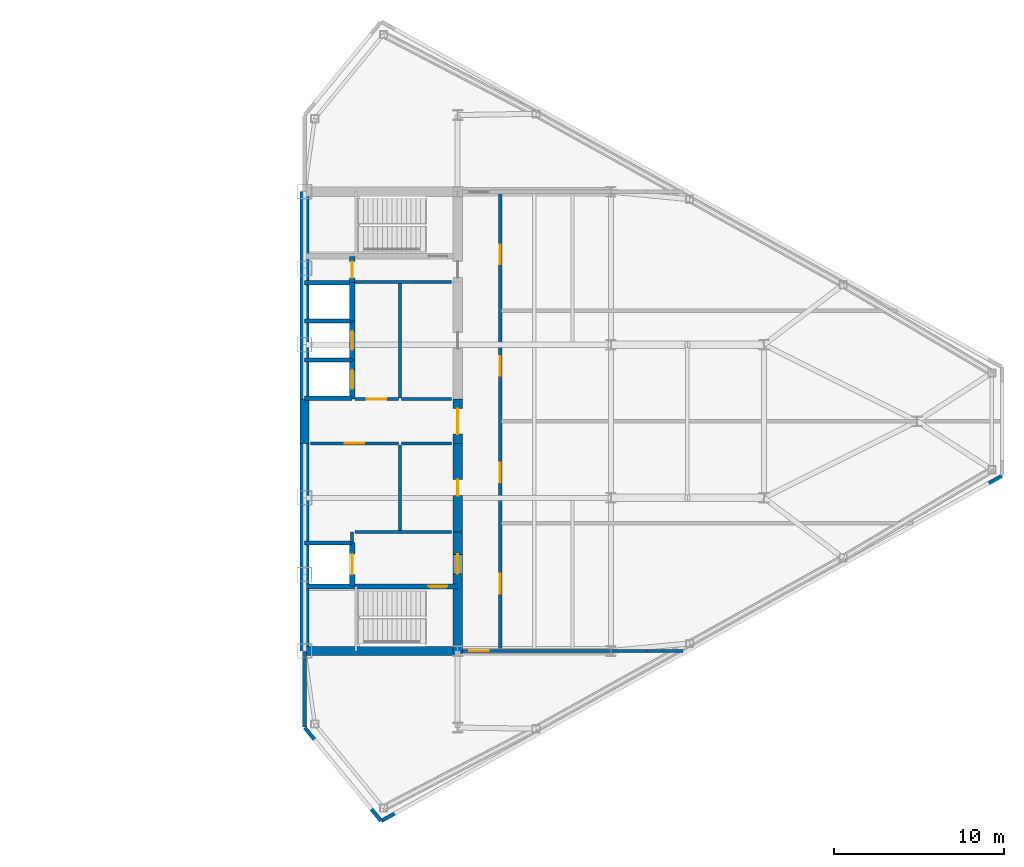
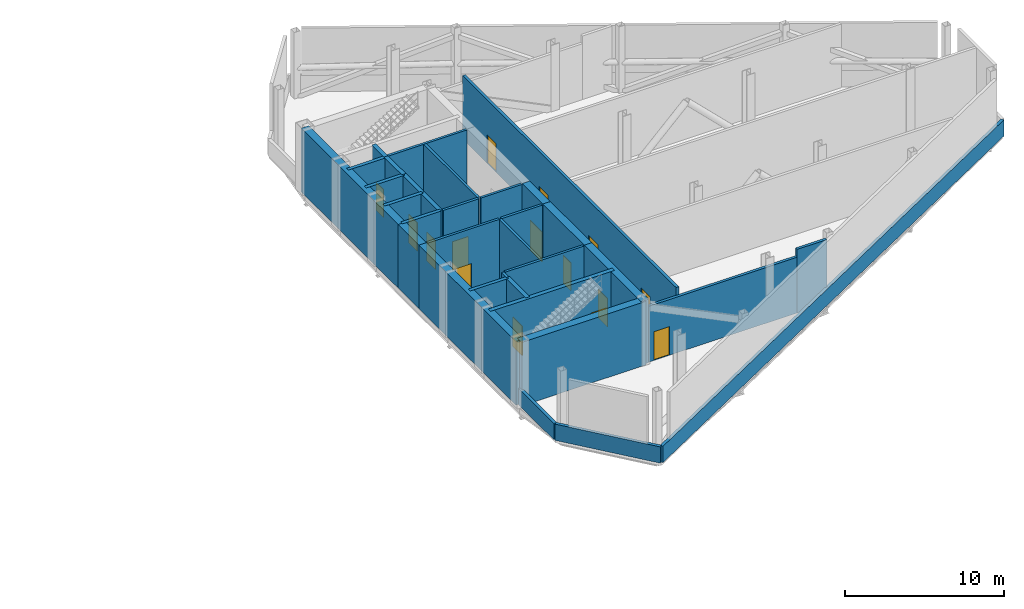
# One storey, part 8 of 11: 33 walls, 15 doors, 15 openings.
"""IFC4 building model written with IfcOpenShell, lengths in metres."""

import ifcopenshell
import ifcopenshell.guid

model = None  # the IFC model being written
_history = None  # IfcOwnerHistory: only IFC2X3 demands one
_inside = {}  # id of a spatial element -> (the spatial element, [elements in it])
_under = {}  # id of a project, library or spatial element -> (it, [spatial elements below it])
_declared = {}  # id of a project -> (the project, [libraries it declares])
_typed = {}  # id of a type object -> (the type object, [elements of that type])
_made_of = {}  # id of a material, layer set ... -> (it, [elements and type objects made of it])


def new_model(schema):
    """Start an empty IFC model of exactly this schema.

    Asked for "IFC4X3", IfcOpenShell would pick the latest addendum, in which some entities
    have other attributes; the version numbers below select the first issue.
    IFC2X3 requires an IfcOwnerHistory on every rooted entity: one is made here for all.
    """
    global model, _history
    if schema == "IFC4X3":
        model = ifcopenshell.file(schema_version=(4, 3, 0, 0))
    else:
        model = ifcopenshell.file(schema=schema)
    _inside.clear()
    _under.clear()
    _declared.clear()
    _typed.clear()
    _made_of.clear()
    _history = None
    if model.schema == "IFC2X3":
        org = make("IfcOrganization", Name="unknown")
        user = make(
            "IfcPersonAndOrganization",
            ThePerson=make("IfcPerson", FamilyName="unknown"),
            TheOrganization=org,
        )
        app = make(
            "IfcApplication",
            ApplicationDeveloper=org,
            Version="unknown",
            ApplicationFullName="unknown",
            ApplicationIdentifier="unknown",
        )
        _history = make(
            "IfcOwnerHistory",
            OwningUser=user,
            OwningApplication=app,
            ChangeAction="ADDED",
            CreationDate=0,
        )
    return model


def make(cls, **values):
    """One entity of the class cls with the attributes given. An attribute that is None is left unset."""
    return model.create_entity(
        cls, **{name: value for name, value in values.items() if value is not None}
    )


def rooted(cls, **values):
    """An entity with a GlobalId (a new one), such as an element, a storey or a relation."""
    return make(cls, GlobalId=ifcopenshell.guid.new(), OwnerHistory=_history, **values)


def si_unit(unit_type, name, prefix=None):
    """IfcSIUnit, for example si_unit("LENGTHUNIT", "METRE", prefix="MILLI")."""
    return make("IfcSIUnit", UnitType=unit_type, Prefix=prefix, Name=name)


def assignment(units):
    """IfcUnitAssignment: the units of a project."""
    return None if units is None else make("IfcUnitAssignment", Units=units)


def point(xyz):
    """IfcCartesianPoint."""
    return None if xyz is None else make("IfcCartesianPoint", Coordinates=xyz)


def direction(xyz):
    """IfcDirection."""
    return None if xyz is None else make("IfcDirection", DirectionRatios=xyz)


def frame(location, z_axis=None, x_axis=None):
    """IfcAxis2Placement3D, a coordinate frame: its origin and axes. An axis left out is left unset."""
    return make(
        "IfcAxis2Placement3D",
        Location=point(location),
        Axis=direction(z_axis),
        RefDirection=direction(x_axis),
    )


def frame_2d(location, x_axis=None):
    """IfcAxis2Placement2D, a coordinate frame in the plane: its origin and x axis."""
    return make(
        "IfcAxis2Placement2D", Location=point(location), RefDirection=direction(x_axis)
    )


def origin():
    """The frame at (0, 0, 0) with its axes left unset."""
    return frame((0.0, 0.0, 0.0))


def place(relative_to, where):
    """IfcLocalPlacement: puts the frame where relative to a parent placement (None: the world)."""
    return make(
        "IfcLocalPlacement", PlacementRelTo=relative_to, RelativePlacement=where
    )


def context(
    kind, dimensions, precision=None, world=None, true_north=None, identifier=None
):
    """IfcGeometricRepresentationContext, for example the 3D "Model" context."""
    return make(
        "IfcGeometricRepresentationContext",
        ContextIdentifier=identifier,
        ContextType=kind,
        CoordinateSpaceDimension=dimensions,
        Precision=precision,
        WorldCoordinateSystem=world,
        TrueNorth=true_north,
    )


def subcontext(parent, identifier, kind, view, scale=None):
    """IfcGeometricRepresentationSubContext, for example "Body" below "Model"."""
    return make(
        "IfcGeometricRepresentationSubContext",
        ContextIdentifier=identifier,
        ContextType=kind,
        ParentContext=parent,
        TargetScale=scale,
        TargetView=view,
    )


def project(units=None, contexts=None):
    """IfcProject with its units and contexts."""
    return rooted(
        "IfcProject",
        Name="project",
        RepresentationContexts=contexts,
        UnitsInContext=assignment(units),
    )


def spatial(cls, under=None, at=None, **own):
    """A site, building, storey or space (cls), placed at a placement, below another one or the project."""
    s = rooted(cls, ObjectPlacement=at, **own)
    if under is not None:
        _under.setdefault(under.id(), (under, []))[1].append(s)
    return s


def profile(cls, at=None, kind="AREA", **sizes):
    """A parametric profile (cls). Its sizes go by their IFC names, for example OverallWidth=200.0."""
    return make(cls, ProfileType=kind, Position=at, **sizes)


def rectangle(**sizes):
    """IfcRectangleProfileDef."""
    return profile("IfcRectangleProfileDef", **sizes)


def extrude(swept, where, along, depth):
    """IfcExtrudedAreaSolid: the profile swept, set in the frame where, extruded along a direction by depth."""
    return make(
        "IfcExtrudedAreaSolid",
        SweptArea=swept,
        Position=where,
        ExtrudedDirection=direction(along),
        Depth=depth,
    )


def shape(context_of_items, identifier, shape_type, items):
    """IfcShapeRepresentation: the items that make up one representation, for example the "Body"."""
    return make(
        "IfcShapeRepresentation",
        ContextOfItems=context_of_items,
        RepresentationIdentifier=identifier,
        RepresentationType=shape_type,
        Items=items,
    )


def source(mapping_origin, context_of_items, identifier, shape_type, items):
    """IfcRepresentationMap: a shape defined once, which mapped items show again and again."""
    return make(
        "IfcRepresentationMap",
        MappingOrigin=mapping_origin,
        MappedRepresentation=shape(context_of_items, identifier, shape_type, items),
    )


def transform(
    local_origin,
    x_axis=None,
    y_axis=None,
    z_axis=None,
    scale=None,
    scale2=None,
    scale3=None,
    uniform=True,
):
    """IfcCartesianTransformationOperator3D, or its non-uniform kind. x_axis, y_axis, z_axis: its Axis1, 2, 3."""
    if uniform:
        return make(
            "IfcCartesianTransformationOperator3D",
            Axis1=direction(x_axis),
            Axis2=direction(y_axis),
            LocalOrigin=point(local_origin),
            Scale=scale,
            Axis3=direction(z_axis),
        )
    return make(
        "IfcCartesianTransformationOperator3DnonUniform",
        Axis1=direction(x_axis),
        Axis2=direction(y_axis),
        LocalOrigin=point(local_origin),
        Scale=scale,
        Axis3=direction(z_axis),
        Scale2=scale2,
        Scale3=scale3,
    )


def mapped(mapping_source, mapping_target):
    """IfcMappedItem: shows the shape of a source again, moved by a transform."""
    return make(
        "IfcMappedItem", MappingSource=mapping_source, MappingTarget=mapping_target
    )


def material(Name=None, Category=None):
    """IfcMaterial."""
    return make("IfcMaterial", Name=Name, Category=Category)


def layer(
    of_material, thickness, ventilated=None, Name=None, Category=None, Priority=None
):
    """IfcMaterialLayer: one layer of a wall or slab, of a material (None: an air gap)."""
    return make(
        "IfcMaterialLayer",
        Material=of_material,
        LayerThickness=thickness,
        IsVentilated=ventilated,
        Name=Name,
        Category=Category,
        Priority=Priority,
    )


def layer_set(layers, Name=None):
    """IfcMaterialLayerSet."""
    return make("IfcMaterialLayerSet", MaterialLayers=layers, LayerSetName=Name)


def made_of(thing, what):
    """Note that an element or type object is made of a material, layer set ...; save() writes the relation."""
    if what is not None:
        _made_of.setdefault(what.id(), (what, []))[1].append(thing)
    return thing


def type_object(cls, material=None, **own):
    """A type object (cls), such as IfcWallType, which elements share."""
    return made_of(rooted(cls, **own), material)


def type_shapes(of_type, sources):
    """Give a type object the sources (RepresentationMaps) that its elements show as mapped items."""
    of_type.RepresentationMaps = sources


def element(
    cls,
    number,
    at=None,
    inside=None,
    cuts=None,
    type_object=None,
    material=None,
    context=None,
    identifier="Body",
    shape_type=None,
    held_by="IfcProductDefinitionShape",
    body=None,
    shapes=None,
    **own,
):
    """One element of the class cls, such as IfcWall. Its Tag is "e" and its number.

    at: its placement. inside: the storey or other place that contains it. cuts: it is an
    opening in that element (IfcRelVoidsElement). A single representation is given by context,
    identifier, shape_type and body (its items); several are given by shapes. held_by: the class
    of the entity that holds the representations. save() writes the other relations.
    """
    e = rooted(cls, Tag="e%d" % number, ObjectPlacement=at, **own)
    if body is not None:
        shapes = [shape(context, identifier, shape_type, body)]
    if shapes is not None:
        e.Representation = make(held_by, Representations=shapes)
    if inside is not None:
        _inside.setdefault(inside.id(), (inside, []))[1].append(e)
    if cuts is not None:
        rooted(
            "IfcRelVoidsElement", RelatingBuildingElement=cuts, RelatedOpeningElement=e
        )
    if type_object is not None:
        _typed.setdefault(type_object.id(), (type_object, []))[1].append(e)
    return made_of(e, material)


def fill(opening, filler):
    """IfcRelFillsElement: the door or window that sits in an opening."""
    return rooted(
        "IfcRelFillsElement",
        RelatingOpeningElement=opening,
        RelatedBuildingElement=filler,
    )


def aggregate(whole, parts):
    """IfcRelAggregates: a whole, such as a stair, and the parts it consists of."""
    return rooted("IfcRelAggregates", RelatingObject=whole, RelatedObjects=parts)


def save(model, path):
    """Write the relations noted so far, then the file.

    IfcRelAggregates (storeys below a building ...), IfcRelContainedInSpatialStructure (elements
    in a storey), IfcRelDefinesByType, IfcRelAssociatesMaterial and IfcRelDeclares: one each for
    every whole, place, type object, material and project.
    """
    for whole, parts in _under.values():
        aggregate(whole, parts)
    for where, things in _inside.values():
        rooted(
            "IfcRelContainedInSpatialStructure",
            RelatedElements=things,
            RelatingStructure=where,
        )
    for kind, things in _typed.values():
        rooted("IfcRelDefinesByType", RelatedObjects=things, RelatingType=kind)
    for what, things in _made_of.values():
        rooted("IfcRelAssociatesMaterial", RelatedObjects=things, RelatingMaterial=what)
    for by, libraries in _declared.values():
        rooted("IfcRelDeclares", RelatingContext=by, RelatedDefinitions=libraries)
    model.write(path)


model = new_model("IFC4")

# Units and contexts
model_context = context("Model", 3, precision=1e-05, world=origin(), true_north=direction((0.0, 1.0)))
body_context = subcontext(model_context, "Body", "Model", "MODEL_VIEW")
ifc_project = project(units=[si_unit("LENGTHUNIT", "METRE"), si_unit("AREAUNIT", "SQUARE_METRE"), si_unit("VOLUMEUNIT", "CUBIC_METRE"), si_unit("PLANEANGLEUNIT", "RADIAN"), si_unit("MASSUNIT", "GRAM", prefix="KILO")], contexts=[model_context])

# Site, building, storey
site_placement = place(None, origin())
site = spatial("IfcSite", under=ifc_project, at=site_placement, CompositionType="ELEMENT")
building_placement = place(site_placement, origin())
building = spatial("IfcBuilding", under=site, at=building_placement, Name="Seokmaru Belvedere", CompositionType="ELEMENT")
storey_placement = place(building_placement, frame((0.0, 0.0, 162.0)))
storey = spatial("IfcBuildingStorey", under=building, at=storey_placement, Name="L43", CompositionType="ELEMENT", Elevation=162.0)

# Walls
ifc_material_1 = material(Name="Fire-Rated Gypsum Shaftwall")
ifc_layer_1 = layer(ifc_material_1, 0.179931640625)
ifc_layer_set_1 = layer_set([ifc_layer_1], Name="Fire-Rated Gypsum Shaftwall")
wall_type_1 = type_object("IfcWallType", Name="Core Service Fire Partition 180", PredefinedType="PARTITIONING", material=ifc_layer_set_1)
wall_1_placement = place(storey_placement, frame((30.449951171875, -6.5, 0.0), z_axis=(0.0, 0.0, 1.0), x_axis=(1.0, 0.0, 0.0)))
element("IfcWall", 1, at=wall_1_placement, inside=storey, type_object=wall_type_1, Name="L43 East Firefighting Lobby Partition", PredefinedType="PARTITIONING", context=body_context, shape_type="SweptSolid", body=[
    extrude(rectangle(XDim=5.699951171875, YDim=0.179931640625, at=frame_2d((2.85009765625, 0.0))), origin(), (0.0, 0.0, 1.0), 4.8798828125),
])
wall_2_placement = place(storey_placement, frame((30.300048828125, -7.1201171875, 0.0), z_axis=(0.0, 0.0, 1.0), x_axis=(0.0, 1.0, 0.0)))
element("IfcWall", 2, at=wall_2_placement, inside=storey, type_object=wall_type_1, Name="L43 East Firefighting Lobby East Closure Wall", PredefinedType="PARTITIONING", context=body_context, shape_type="SweptSolid", body=[
    extrude(rectangle(XDim=0.6201171875, YDim=0.179931640625, at=frame_2d((0.31005859375, 0.0))), origin(), (0.0, 0.0, 1.0), 4.8798828125),
])
wall_3_placement = place(storey_placement, frame((30.449951171875, 8.199951171875, 0.0), z_axis=(0.0, 0.0, 1.0), x_axis=(1.0, 0.0, 0.0)))
element("IfcWall", 3, at=wall_3_placement, inside=storey, type_object=wall_type_1, Name="L43 East Smokeproof Vestibule Partition", PredefinedType="PARTITIONING", context=body_context, shape_type="SweptSolid", body=[
    extrude(rectangle(XDim=5.699951171875, YDim=0.179931640625, at=frame_2d((2.85009765625, 0.0))), origin(), (0.0, 0.0, 1.0), 4.8798828125),
])
wall_4_placement = place(storey_placement, frame((33.10009765625, -6.419921875, 0.0), z_axis=(0.0, 0.0, 1.0), x_axis=(0.0, 1.0, 0.0)))
element("IfcWall", 4, at=wall_4_placement, inside=storey, type_object=wall_type_1, Name="L43 East South Core Service Back Wall", PredefinedType="PARTITIONING", context=body_context, shape_type="SweptSolid", body=[
    extrude(rectangle(XDim=5.0400390625, YDim=0.179931640625, at=frame_2d((2.52001953125, 0.0))), origin(), (0.0, 0.0, 1.0), 4.8798828125),
])
wall_5_placement = place(storey_placement, frame((33.10009765625, 1.3798828125, 0.0), z_axis=(0.0, 0.0, 1.0), x_axis=(0.0, 1.0, 0.0)))
element("IfcWall", 5, at=wall_5_placement, inside=storey, type_object=wall_type_1, Name="L43 East North Core Service Back Wall", PredefinedType="PARTITIONING", context=body_context, shape_type="SweptSolid", body=[
    extrude(rectangle(XDim=6.740234375, YDim=0.179931640625, at=frame_2d((3.3701171875, 0.0))), origin(), (0.0, 0.0, 1.0), 4.8798828125),
])

# Wall, opening, door
wall_6_placement = place(storey_placement, frame((27.85009765625, -1.300048828125, 0.0), z_axis=(0.0, 0.0, 1.0), x_axis=(1.0, 0.0, 0.0)))
wall_6 = element("IfcWall", 6, at=wall_6_placement, inside=storey, type_object=wall_type_1, Name="L43 East South Lift Lobby Foyer Wall", PredefinedType="PARTITIONING", context=body_context, shape_type="SweptSolid", body=[
    extrude(rectangle(XDim=5.169921875, YDim=0.179931640625, at=frame_2d((2.5849609375, 0.0))), origin(), (0.0, 0.0, 1.0), 4.8798828125),
])
opening_1_placement = place(wall_6_placement, frame((2.010009765625, 0.0, 0.0)))
opening_1 = element("IfcOpeningElement", 7, at=opening_1_placement, cuts=wall_6, Name="Opening D02", PredefinedType="OPENING", context=body_context, shape_type="SweptSolid", body=[
    extrude(rectangle(XDim=1.14990234375, YDim=2.199951171875, at=frame_2d((0.574951171875, 1.10009765625))), frame((0.0, 0.10009765625, 0.0), z_axis=(0.0, -1.0, 0.0), x_axis=(1.0, 0.0, 0.0)), (0.0, 0.0, 1.0), 0.199951171875),
])
ifc_material_2 = material(Name="Fire-Rated Steel Leaf", Category="steel")
door_type_1 = type_object("IfcDoorType", Name="Lobby and Vestibule Fire Door 1150x2200", OperationType="NOTDEFINED", PredefinedType="DOOR", material=ifc_material_2)
shared_shape_1 = source(origin(), body_context, "Body", "SweptSolid", [
    extrude(rectangle(XDim=1.14990234375, YDim=2.199951171875, at=frame_2d((0.574951171875, 1.10009765625))), frame((0.0, 0.02490234375, 0.0), z_axis=(0.0, -1.0, 0.0), x_axis=(1.0, 0.0, 0.0)), (0.0, 0.0, 1.0), 0.050048828125),
])
type_shapes(door_type_1, [shared_shape_1])
door_1_placement = place(opening_1_placement, origin())
door_1 = element("IfcDoor", 8, at=door_1_placement, inside=storey, type_object=door_type_1, Name="L43 East South Core Foyer Door", OperationType="SINGLE_SWING_RIGHT", OverallHeight=2.199951171875, OverallWidth=1.14990234375, PredefinedType="DOOR", context=body_context, shape_type="MappedRepresentation", body=[
    mapped(shared_shape_1, transform((0.0, 0.0, 0.0), scale=1.0)),
])
fill(opening_1, door_1)

wall_7_placement = place(storey_placement, frame((30.449951171875, 1.300048828125, 0.0), z_axis=(0.0, 0.0, 1.0), x_axis=(1.0, 0.0, 0.0)))
wall_7 = element("IfcWall", 9, at=wall_7_placement, inside=storey, type_object=wall_type_1, Name="L43 East North Lift Lobby Foyer Wall", PredefinedType="PARTITIONING", context=body_context, shape_type="SweptSolid", body=[
    extrude(rectangle(XDim=2.570068359375, YDim=0.179931640625, at=frame_2d((1.28515625, 0.0))), origin(), (0.0, 0.0, 1.0), 4.8798828125),
])
opening_2_placement = place(wall_7_placement, frame((0.7099609375, 0.0, 0.0)))
opening_2 = element("IfcOpeningElement", 10, at=opening_2_placement, cuts=wall_7, Name="Opening D02", PredefinedType="OPENING", context=body_context, shape_type="SweptSolid", body=[
    extrude(rectangle(XDim=1.14990234375, YDim=2.199951171875, at=frame_2d((0.574951171875, 1.10009765625))), frame((0.0, 0.10009765625, 0.0), z_axis=(0.0, -1.0, 0.0), x_axis=(1.0, 0.0, 0.0)), (0.0, 0.0, 1.0), 0.199951171875),
])
door_2_placement = place(opening_2_placement, origin())
door_2 = element("IfcDoor", 11, at=door_2_placement, inside=storey, type_object=door_type_1, Name="L43 East North Lift Lobby Door", OperationType="SINGLE_SWING_LEFT", OverallHeight=2.199951171875, OverallWidth=1.14990234375, PredefinedType="DOOR", context=body_context, shape_type="MappedRepresentation", body=[
    mapped(shared_shape_1, transform((0.0, 0.0, 0.0), scale=1.0)),
])
fill(opening_2, door_2)

# Walls
for number, where, z_axis, x_axis, name in (
    (12, (33.199951171875, -1.300048828125, 0.0), (0.0, 0.0, 1.0), (1.0, 0.0, 0.0), "L43 East Foyer Side Wall S"),
    (13, (33.199951171875, 1.300048828125, 0.0), (0.0, 0.0, 1.0), (1.0, 0.0, 0.0), "L43 East Foyer Side Wall N"),
):
    element("IfcWall", number, at=place(storey_placement, frame(where, z_axis=z_axis, x_axis=x_axis)), inside=storey, type_object=wall_type_1, Name=name, PredefinedType="PARTITIONING", context=body_context, shape_type="SweptSolid", body=[
        extrude(rectangle(XDim=2.949951171875, YDim=0.179931640625, at=frame_2d((1.47509765625, 0.0))), origin(), (0.0, 0.0, 1.0), 4.8798828125),
    ])
ifc_material_3 = material(Name="Concrete C50 (50 MPa)", Category="concrete")
ifc_layer_2 = layer(ifc_material_3, 0.25)
ifc_layer_set_2 = layer_set([ifc_layer_2], Name="Concrete C50 (50 MPa)")
wall_type_2 = type_object("IfcWallType", Name="Hoistway Transverse Concrete Divider Wall 250", PredefinedType="SHEAR", material=ifc_layer_set_2)
for number, where, z_axis, x_axis, name in (
    (14, (27.5, -7.14990234375, 0.0), (0.0, 0.0, 1.0), (1.0, 0.0, 0.0), "L43 East Hoistway Divider Core Wall 1"),
    (15, (27.5, 1.35009765625, 0.0), (0.0, 0.0, 1.0), (1.0, 0.0, 0.0), "L43 East Hoistway Divider Core Wall 2"),
    (16, (27.5, 3.60009765625, 0.0), (0.0, 0.0, 1.0), (1.0, 0.0, 0.0), "L43 East Hoistway Divider Core Wall 3"),
    (17, (27.5, 5.89990234375, 0.0), (0.0, 0.0, 1.0), (1.0, 0.0, 0.0), "L43 East Hoistway Divider Core Wall 4"),
    (18, (27.5, 8.14990234375, 0.0), (0.0, 0.0, 1.0), (1.0, 0.0, 0.0), "L43 East Hoistway Divider Core Wall 5"),
):
    element("IfcWall", number, at=place(storey_placement, frame(where, z_axis=z_axis, x_axis=x_axis)), inside=storey, type_object=wall_type_2, Name=name, PredefinedType="SHEAR", context=body_context, shape_type="SweptSolid", body=[
        extrude(rectangle(XDim=2.800048828125, YDim=0.25, at=frame_2d((1.39990234375, 0.0))), origin(), (0.0, 0.0, 1.0), 4.8798828125),
    ])

# Wall, opening, door
ifc_layer_3 = layer(ifc_material_1, 0.199951171875)
ifc_layer_set_3 = layer_set([ifc_layer_3], Name="Fire-Rated Gypsum Shaftwall")
wall_type_3 = type_object("IfcWallType", Name="Inter-Tenancy Fire Compartment Partition 200", PredefinedType="PARTITIONING", material=ifc_layer_set_3)
wall_8_placement = place(storey_placement, frame((36.780029296875, -13.5, 0.0), z_axis=(0.0, 0.0, 1.0), x_axis=(1.0, 0.0, 0.0)))
wall_8 = element("IfcWall", 19, at=wall_8_placement, inside=storey, type_object=wall_type_3, Name="L43 Interior Partition 002", PredefinedType="PARTITIONING", context=body_context, shape_type="SweptSolid", body=[
    extrude(rectangle(XDim=10.807373046875, YDim=0.199951171875, at=frame_2d((5.40380859375, 0.0))), origin(), (0.0, 0.0, 1.0), 4.280029296875),
])
opening_3_placement = place(wall_8_placement, frame((0.39501953125, 0.0, 0.0)))
opening_3 = element("IfcOpeningElement", 20, at=opening_3_placement, cuts=wall_8, Name="Opening D02", PredefinedType="OPENING", context=body_context, shape_type="SweptSolid", body=[
    extrude(rectangle(XDim=1.14990234375, YDim=2.199951171875, at=frame_2d((0.574951171875, 1.10009765625))), frame((0.0, 0.10986328125, 0.0), z_axis=(0.0, -1.0, 0.0), x_axis=(1.0, 0.0, 0.0)), (0.0, 0.0, 1.0), 0.219970703125),
])
door_3_placement = place(opening_3_placement, origin())
door_3 = element("IfcDoor", 21, at=door_3_placement, inside=storey, type_object=door_type_1, Name="L43 Interior Door 007", OperationType="SINGLE_SWING_RIGHT", OverallHeight=2.199951171875, OverallWidth=1.14990234375, PredefinedType="DOOR", context=body_context, shape_type="MappedRepresentation", body=[
    mapped(shared_shape_1, transform((0.0, 0.0, 0.0), scale=1.0)),
])
fill(opening_3, door_3)

# Wall
wall_9_placement = place(storey_placement, frame((47.58740234375, -13.5, 0.0), z_axis=(0.0, 0.0, 1.0), x_axis=(1.0, 0.0, 0.0)))
element("IfcWall", 22, at=wall_9_placement, inside=storey, type_object=wall_type_3, Name="L43 Interior Partition 002 Part 2", PredefinedType="PARTITIONING", context=body_context, shape_type="SweptSolid", body=[
    extrude(rectangle(XDim=2.15625, YDim=0.199951171875, at=frame_2d((1.078125, 0.0))), origin(), (0.0, 0.0, 1.0), 4.8798828125),
])

# Wall, openings, doors
wall_10_placement = place(storey_placement, frame((39.0, -13.4150390625, 0.0), z_axis=(0.0, 0.0, 1.0), x_axis=(0.0, 1.0, 0.0)))
wall_10 = element("IfcWall", 23, at=wall_10_placement, inside=storey, type_object=wall_type_3, Name="L43 Interior Partition 012", PredefinedType="PARTITIONING", context=body_context, shape_type="SweptSolid", body=[
    extrude(rectangle(XDim=26.830078125, YDim=0.199951171875, at=frame_2d((13.4150390625, 0.0))), origin(), (0.0, 0.0, 1.0), 4.8798828125),
])
opening_4_placement = place(wall_10_placement, frame((3.2900390625, 0.0, 0.0)))
opening_4 = element("IfcOpeningElement", 24, at=opening_4_placement, cuts=wall_10, Name="Opening D02", PredefinedType="OPENING", context=body_context, shape_type="SweptSolid", body=[
    extrude(rectangle(XDim=1.14990234375, YDim=2.199951171875, at=frame_2d((0.574951171875, 1.10009765625))), frame((0.0, 0.10986328125, 0.0), z_axis=(0.0, -1.0, 0.0), x_axis=(1.0, 0.0, 0.0)), (0.0, 0.0, 1.0), 0.219970703125),
])
opening_5_placement = place(wall_10_placement, frame((9.840087890625, 0.0, 0.0)))
opening_5 = element("IfcOpeningElement", 25, at=opening_5_placement, cuts=wall_10, Name="Opening D02", PredefinedType="OPENING", context=body_context, shape_type="SweptSolid", body=[
    extrude(rectangle(XDim=1.14990234375, YDim=2.199951171875, at=frame_2d((0.574951171875, 1.10009765625))), frame((0.0, 0.10986328125, 0.0), z_axis=(0.0, -1.0, 0.0), x_axis=(1.0, 0.0, 0.0)), (0.0, 0.0, 1.0), 0.219970703125),
])
opening_6_placement = place(wall_10_placement, frame((16.090087890625, 0.0, 0.0)))
opening_6 = element("IfcOpeningElement", 26, at=opening_6_placement, cuts=wall_10, Name="Opening D02", PredefinedType="OPENING", context=body_context, shape_type="SweptSolid", body=[
    extrude(rectangle(XDim=1.14990234375, YDim=2.199951171875, at=frame_2d((0.574951171875, 1.10009765625))), frame((0.0, 0.10986328125, 0.0), z_axis=(0.0, -1.0, 0.0), x_axis=(1.0, 0.0, 0.0)), (0.0, 0.0, 1.0), 0.219970703125),
])
opening_7_placement = place(wall_10_placement, frame((22.639892578125, 0.0, 0.0)))
opening_7 = element("IfcOpeningElement", 27, at=opening_7_placement, cuts=wall_10, Name="Opening D02", PredefinedType="OPENING", context=body_context, shape_type="SweptSolid", body=[
    extrude(rectangle(XDim=1.14990234375, YDim=2.199951171875, at=frame_2d((0.574951171875, 1.10009765625))), frame((0.0, 0.10986328125, 0.0), z_axis=(0.0, -1.0, 0.0), x_axis=(1.0, 0.0, 0.0)), (0.0, 0.0, 1.0), 0.219970703125),
])
door_4_placement = place(opening_4_placement, origin())
door_4 = element("IfcDoor", 28, at=door_4_placement, inside=storey, type_object=door_type_1, Name="L43 Interior Door 009", OperationType="SINGLE_SWING_RIGHT", OverallHeight=2.199951171875, OverallWidth=1.14990234375, PredefinedType="DOOR", context=body_context, shape_type="MappedRepresentation", body=[
    mapped(shared_shape_1, transform((0.0, 0.0, 0.0), scale=1.0)),
])
fill(opening_4, door_4)
door_5_placement = place(opening_5_placement, origin())
door_5 = element("IfcDoor", 29, at=door_5_placement, inside=storey, type_object=door_type_1, Name="L43 Interior Door 010", OperationType="SINGLE_SWING_LEFT", OverallHeight=2.199951171875, OverallWidth=1.14990234375, PredefinedType="DOOR", context=body_context, shape_type="MappedRepresentation", body=[
    mapped(shared_shape_1, transform((0.0, 0.0, 0.0), scale=1.0)),
])
fill(opening_5, door_5)
door_6_placement = place(opening_6_placement, origin())
door_6 = element("IfcDoor", 30, at=door_6_placement, inside=storey, type_object=door_type_1, Name="L43 Interior Door 011", OperationType="SINGLE_SWING_RIGHT", OverallHeight=2.199951171875, OverallWidth=1.14990234375, PredefinedType="DOOR", context=body_context, shape_type="MappedRepresentation", body=[
    mapped(shared_shape_1, transform((0.0, 0.0, 0.0), scale=1.0)),
])
fill(opening_6, door_6)
door_7_placement = place(opening_7_placement, origin())
door_7 = element("IfcDoor", 31, at=door_7_placement, inside=storey, type_object=door_type_1, Name="L43 Interior Door 012", OperationType="SINGLE_SWING_LEFT", OverallHeight=2.199951171875, OverallWidth=1.14990234375, PredefinedType="DOOR", context=body_context, shape_type="MappedRepresentation", body=[
    mapped(shared_shape_1, transform((0.0, 0.0, 0.0), scale=1.0)),
])
fill(opening_7, door_7)

# Wall, opening, door
ifc_layer_4 = layer(ifc_material_3, 0.300048828125)
ifc_layer_set_4 = layer_set([ifc_layer_4], Name="Concrete C50 (50 MPa)")
wall_type_4 = type_object("IfcWallType", Name="Internal Core Stair and Hoistway Wall 300", PredefinedType="SHEAR", material=ifc_layer_set_4)
wall_11_placement = place(storey_placement, frame((27.5, -9.699951171875, 0.0), z_axis=(0.0, 0.0, 1.0), x_axis=(1.0, 0.0, 0.0)))
wall_11 = element("IfcWall", 32, at=wall_11_placement, inside=storey, type_object=wall_type_4, Name="L43 East Stair ST-1 Enclosure Wall", PredefinedType="SHEAR", context=body_context, shape_type="SweptSolid", body=[
    extrude(rectangle(XDim=9.0, YDim=0.300048828125, at=frame_2d((4.5, 0.0))), origin(), (0.0, 0.0, 1.0), 4.8798828125),
])
opening_8_placement = place(wall_11_placement, frame((7.300048828125, 0.0, 0.0)))
opening_8 = element("IfcOpeningElement", 33, at=opening_8_placement, cuts=wall_11, Name="Opening D01", PredefinedType="OPENING", context=body_context, shape_type="SweptSolid", body=[
    extrude(rectangle(XDim=1.10009765625, YDim=2.199951171875, at=frame_2d((0.550048828125, 1.10009765625))), frame((0.0, 0.16015625, 0.0), z_axis=(0.0, -1.0, 0.0), x_axis=(1.0, 0.0, 0.0)), (0.0, 0.0, 1.0), 0.320068359375),
])
door_type_2 = type_object("IfcDoorType", Name="Special Escape Stair Smokeproof Fire Door 1100x2200", OperationType="NOTDEFINED", PredefinedType="DOOR", material=ifc_material_2)
shared_shape_2 = source(origin(), body_context, "Body", "SweptSolid", [
    extrude(rectangle(XDim=1.10009765625, YDim=2.199951171875, at=frame_2d((0.550048828125, 1.10009765625))), frame((0.0, 0.02490234375, 0.0), z_axis=(0.0, -1.0, 0.0), x_axis=(1.0, 0.0, 0.0)), (0.0, 0.0, 1.0), 0.050048828125),
])
type_shapes(door_type_2, [shared_shape_2])
door_8_placement = place(opening_8_placement, frame((1.10009765625, 0.0, 0.0), z_axis=(0.0, 0.0, 1.0), x_axis=(-1.0, 0.0, 0.0)))
door_8 = element("IfcDoor", 34, at=door_8_placement, inside=storey, type_object=door_type_2, Name="L43 East Special Escape Stair ST-1 Door", OperationType="SINGLE_SWING_RIGHT", OverallHeight=2.199951171875, OverallWidth=1.10009765625, PredefinedType="DOOR", context=body_context, shape_type="MappedRepresentation", body=[
    mapped(shared_shape_2, transform((0.0, 0.0, 0.0), scale=1.0)),
])
fill(opening_8, door_8)

wall_12_placement = place(storey_placement, frame((30.300048828125, -9.679931640625, 0.0), z_axis=(0.0, 0.0, 1.0), x_axis=(0.0, 1.0, 0.0)))
wall_12 = element("IfcWall", 35, at=wall_12_placement, inside=storey, type_object=wall_type_4, Name="L43 East Firefighting Lift Shaft Front Wall", PredefinedType="SHEAR", context=body_context, shape_type="SweptSolid", body=[
    extrude(rectangle(XDim=2.559814453125, YDim=0.300048828125, at=frame_2d((1.27978515625, 0.0))), origin(), (0.0, 0.0, 1.0), 4.8798828125),
])
opening_9_placement = place(wall_12_placement, frame((0.679931640625, 0.0, 0.0)))
opening_9 = element("IfcOpeningElement", 36, at=opening_9_placement, cuts=wall_12, Name="Opening LD2", PredefinedType="OPENING", context=body_context, shape_type="SweptSolid", body=[
    extrude(rectangle(XDim=1.199951171875, YDim=2.25, at=frame_2d((0.60009765625, 1.125))), frame((0.0, 0.16015625, 0.0), z_axis=(0.0, -1.0, 0.0), x_axis=(1.0, 0.0, 0.0)), (0.0, 0.0, 1.0), 0.320068359375),
])
ifc_material_4 = material(Name="Stainless Steel 316", Category="steel")
door_type_3 = type_object("IfcDoorType", Name="Firefighting Lift Sliding Landing Door 1200x2250", OperationType="DOUBLE_DOOR_SLIDING", PredefinedType="DOOR", material=ifc_material_4)
shared_shape_3 = source(origin(), body_context, "Body", "SweptSolid", [
    extrude(rectangle(XDim=1.199951171875, YDim=2.25, at=frame_2d((0.60009765625, 1.125))), frame((0.0, 0.02490234375, 0.0), z_axis=(0.0, -1.0, 0.0), x_axis=(1.0, 0.0, 0.0)), (0.0, 0.0, 1.0), 0.050048828125),
])
type_shapes(door_type_3, [shared_shape_3])
door_9_placement = place(opening_9_placement, origin())
door_9 = element("IfcDoor", 37, at=door_9_placement, inside=storey, type_object=door_type_3, Name="L43 East Firefighting Lift Landing Door", OperationType="DOUBLE_DOOR_SLIDING", OverallHeight=2.25, OverallWidth=1.199951171875, PredefinedType="DOOR", context=body_context, shape_type="MappedRepresentation", body=[
    mapped(shared_shape_3, transform((0.0, 0.0, 0.0), scale=1.0)),
])
fill(opening_9, door_9)

wall_13_placement = place(storey_placement, frame((30.300048828125, 1.320068359375, 0.0), z_axis=(0.0, 0.0, 1.0), x_axis=(0.0, 1.0, 0.0)))
wall_13 = element("IfcWall", 38, at=wall_13_placement, inside=storey, type_object=wall_type_4, Name="L43 East North Hoistway Wall PH1", PredefinedType="SHEAR", context=body_context, shape_type="SweptSolid", body=[
    extrude(rectangle(XDim=2.280029296875, YDim=0.300048828125, at=frame_2d((1.14013671875, 0.0))), origin(), (0.0, 0.0, 1.0), 4.8798828125),
])
opening_10_placement = place(wall_13_placement, frame((0.590087890625, 0.0, 0.0)))
opening_10 = element("IfcOpeningElement", 39, at=opening_10_placement, cuts=wall_13, Name="Opening LD1", PredefinedType="OPENING", context=body_context, shape_type="SweptSolid", body=[
    extrude(rectangle(XDim=1.10009765625, YDim=2.199951171875, at=frame_2d((0.550048828125, 1.10009765625))), frame((0.0, 0.16015625, 0.0), z_axis=(0.0, -1.0, 0.0), x_axis=(1.0, 0.0, 0.0)), (0.0, 0.0, 1.0), 0.320068359375),
])
door_type_4 = type_object("IfcDoorType", Name="Passenger Lift Sliding Landing Door 1100x2200", OperationType="DOUBLE_DOOR_SLIDING", PredefinedType="DOOR", material=ifc_material_4)
shared_shape_4 = source(origin(), body_context, "Body", "SweptSolid", [
    extrude(rectangle(XDim=1.10009765625, YDim=2.199951171875, at=frame_2d((0.550048828125, 1.10009765625))), frame((0.0, 0.02490234375, 0.0), z_axis=(0.0, -1.0, 0.0), x_axis=(1.0, 0.0, 0.0)), (0.0, 0.0, 1.0), 0.050048828125),
])
type_shapes(door_type_4, [shared_shape_4])
door_10_placement = place(opening_10_placement, origin())
door_10 = element("IfcDoor", 40, at=door_10_placement, inside=storey, type_object=door_type_4, Name="L43 East High-Rise Lift PH-1 Landing Door", OperationType="DOUBLE_DOOR_SLIDING", OverallHeight=2.199951171875, OverallWidth=1.10009765625, PredefinedType="DOOR", context=body_context, shape_type="MappedRepresentation", body=[
    mapped(shared_shape_4, transform((0.0, 0.0, 0.0), scale=1.0)),
])
fill(opening_10, door_10)

wall_14_placement = place(storey_placement, frame((30.300048828125, 3.60009765625, 0.0), z_axis=(0.0, 0.0, 1.0), x_axis=(0.0, 1.0, 0.0)))
wall_14 = element("IfcWall", 41, at=wall_14_placement, inside=storey, type_object=wall_type_4, Name="L43 East North Hoistway Wall PH2", PredefinedType="SHEAR", context=body_context, shape_type="SweptSolid", body=[
    extrude(rectangle(XDim=2.2998046875, YDim=0.300048828125, at=frame_2d((1.14990234375, 0.0))), origin(), (0.0, 0.0, 1.0), 4.8798828125),
])
opening_11_placement = place(wall_14_placement, frame((0.60009765625, 0.0, 0.0)))
opening_11 = element("IfcOpeningElement", 42, at=opening_11_placement, cuts=wall_14, Name="Opening LD1", PredefinedType="OPENING", context=body_context, shape_type="SweptSolid", body=[
    extrude(rectangle(XDim=1.10009765625, YDim=2.199951171875, at=frame_2d((0.550048828125, 1.10009765625))), frame((0.0, 0.16015625, 0.0), z_axis=(0.0, -1.0, 0.0), x_axis=(1.0, 0.0, 0.0)), (0.0, 0.0, 1.0), 0.320068359375),
])
door_11_placement = place(opening_11_placement, origin())
door_11 = element("IfcDoor", 43, at=door_11_placement, inside=storey, type_object=door_type_4, Name="L43 East High-Rise Lift PH-2 Landing Door", OperationType="DOUBLE_DOOR_SLIDING", OverallHeight=2.199951171875, OverallWidth=1.10009765625, PredefinedType="DOOR", context=body_context, shape_type="MappedRepresentation", body=[
    mapped(shared_shape_4, transform((0.0, 0.0, 0.0), scale=1.0)),
])
fill(opening_11, door_11)

# Wall
wall_15_placement = place(storey_placement, frame((30.300048828125, 5.89990234375, 0.0), z_axis=(0.0, 0.0, 1.0), x_axis=(0.0, 1.0, 0.0)))
element("IfcWall", 44, at=wall_15_placement, inside=storey, type_object=wall_type_4, Name="L43 East North Hoistway Wall OBS", PredefinedType="SHEAR", context=body_context, shape_type="SweptSolid", body=[
    extrude(rectangle(XDim=2.25, YDim=0.300048828125, at=frame_2d((1.125, 0.0))), origin(), (0.0, 0.0, 1.0), 4.8798828125),
])

# Wall, opening, door
wall_16_placement = place(storey_placement, frame((30.300048828125, 8.14990234375, 0.0), z_axis=(0.0, 0.0, 1.0), x_axis=(0.0, 1.0, 0.0)))
wall_16 = element("IfcWall", 45, at=wall_16_placement, inside=storey, type_object=wall_type_4, Name="L43 East Electrical Riser Front Wall", PredefinedType="SHEAR", context=body_context, shape_type="SweptSolid", body=[
    extrude(rectangle(XDim=1.530029296875, YDim=0.300048828125, at=frame_2d((0.76513671875, 0.0))), origin(), (0.0, 0.0, 1.0), 4.8798828125),
])
opening_12_placement = place(wall_16_placement, frame((0.284912109375, 0.0, 0.0)))
opening_12 = element("IfcOpeningElement", 46, at=opening_12_placement, cuts=wall_16, Name="Opening D04", PredefinedType="OPENING", context=body_context, shape_type="SweptSolid", body=[
    extrude(rectangle(XDim=0.949951171875, YDim=2.14990234375, at=frame_2d((0.47509765625, 1.074951171875))), frame((0.0, 0.16015625, 0.0), z_axis=(0.0, -1.0, 0.0), x_axis=(1.0, 0.0, 0.0)), (0.0, 0.0, 1.0), 0.320068359375),
])
door_type_5 = type_object("IfcDoorType", Name="Core Service Room Fire Door 950x2150", OperationType="NOTDEFINED", PredefinedType="DOOR", material=ifc_material_2)
shared_shape_5 = source(origin(), body_context, "Body", "SweptSolid", [
    extrude(rectangle(XDim=0.949951171875, YDim=2.14990234375, at=frame_2d((0.47509765625, 1.074951171875))), frame((0.0, 0.02490234375, 0.0), z_axis=(0.0, -1.0, 0.0), x_axis=(1.0, 0.0, 0.0)), (0.0, 0.0, 1.0), 0.050048828125),
])
type_shapes(door_type_5, [shared_shape_5])
door_12_placement = place(opening_12_placement, origin())
door_12 = element("IfcDoor", 47, at=door_12_placement, inside=storey, type_object=door_type_5, Name="L43 East Electrical Riser Access Door", OperationType="SINGLE_SWING_RIGHT", OverallHeight=2.14990234375, OverallWidth=0.949951171875, PredefinedType="DOOR", context=body_context, shape_type="MappedRepresentation", body=[
    mapped(shared_shape_5, transform((0.0, 0.0, 0.0), scale=1.0)),
])
fill(opening_12, door_12)

# Walls
ifc_layer_5 = layer(ifc_material_3, 0.550048828125)
ifc_layer_set_5 = layer_set([ifc_layer_5], Name="Concrete C50 (50 MPa)")
wall_type_5 = type_object("IfcWallType", Name="Mid-High Reinforced Concrete Core Wall 550", PredefinedType="SHEAR", material=ifc_layer_set_5)
for number, where, z_axis, x_axis, name in (
    (48, (27.5, -13.5, 0.0), (0.0, 0.0, 1.0), (0.0, 1.0, 0.0), "L43 East Portal Spine Core Wall South"),
    (49, (27.5, 1.300048828125, 0.0), (0.0, 0.0, 1.0), (0.0, 1.0, 0.0), "L43 East Portal Spine Core Wall North"),
):
    element("IfcWall", number, at=place(storey_placement, frame(where, z_axis=z_axis, x_axis=x_axis)), inside=storey, type_object=wall_type_5, Name=name, PredefinedType="SHEAR", context=body_context, shape_type="SweptSolid", body=[
        extrude(rectangle(XDim=12.199951171875, YDim=0.550048828125, at=frame_2d((6.10009765625, 0.0))), origin(), (0.0, 0.0, 1.0), 4.8798828125),
    ])
wall_17_placement = place(storey_placement, frame((27.5, -1.300048828125, 0.0), z_axis=(0.0, 0.0, 1.0), x_axis=(0.0, 1.0, 0.0)))
element("IfcWall", 50, at=wall_17_placement, inside=storey, type_object=wall_type_5, Name="L43 East Portal Spine Core Wall Center", PredefinedType="SHEAR", context=body_context, shape_type="SweptSolid", body=[
    extrude(rectangle(XDim=2.60009765625, YDim=0.550048828125, at=frame_2d((1.300048828125, 0.0))), origin(), (0.0, 0.0, 1.0), 4.8798828125),
])
wall_18_placement = place(storey_placement, frame((27.5, -13.5, 0.0), z_axis=(0.0, 0.0, 1.0), x_axis=(1.0, 0.0, 0.0)))
element("IfcWall", 51, at=wall_18_placement, inside=storey, type_object=wall_type_5, Name="L43 East South Core Wall", PredefinedType="SHEAR", context=body_context, shape_type="SweptSolid", body=[
    extrude(rectangle(XDim=9.0, YDim=0.550048828125, at=frame_2d((4.5, 0.0))), origin(), (0.0, 0.0, 1.0), 4.8798828125),
])

# Wall, opening, door
wall_19_placement = place(storey_placement, frame((36.5, -13.64990234375, 0.0), z_axis=(0.0, 0.0, 1.0), x_axis=(0.0, 1.0, 0.0)))
wall_19 = element("IfcWall", 52, at=wall_19_placement, inside=storey, type_object=wall_type_5, Name="L43 East West Core Wall FF", PredefinedType="SHEAR", context=body_context, shape_type="SweptSolid", body=[
    extrude(rectangle(XDim=7.14990234375, YDim=0.550048828125, at=frame_2d((3.574951171875, 0.0))), origin(), (0.0, 0.0, 1.0), 4.8798828125),
])
opening_13_placement = place(wall_19_placement, frame((4.675048828125, 0.0, 0.0)))
opening_13 = element("IfcOpeningElement", 53, at=opening_13_placement, cuts=wall_19, Name="Opening D02", PredefinedType="OPENING", context=body_context, shape_type="SweptSolid", body=[
    extrude(rectangle(XDim=1.14990234375, YDim=2.199951171875, at=frame_2d((0.574951171875, 1.10009765625))), frame((0.0, 0.28515625, 0.0), z_axis=(0.0, -1.0, 0.0), x_axis=(1.0, 0.0, 0.0)), (0.0, 0.0, 1.0), 0.570068359375),
])
door_13_placement = place(opening_13_placement, origin())
door_13 = element("IfcDoor", 54, at=door_13_placement, inside=storey, type_object=door_type_1, Name="L43 East Firefighting Lobby Door", OperationType="SINGLE_SWING_RIGHT", OverallHeight=2.199951171875, OverallWidth=1.14990234375, PredefinedType="DOOR", context=body_context, shape_type="MappedRepresentation", body=[
    mapped(shared_shape_1, transform((0.0, 0.0, 0.0), scale=1.0)),
])
fill(opening_13, door_13)

wall_20_placement = place(storey_placement, frame((36.5, -1.300048828125, 0.0), z_axis=(0.0, 0.0, 1.0), x_axis=(0.0, 1.0, 0.0)))
wall_20 = element("IfcWall", 55, at=wall_20_placement, inside=storey, type_object=wall_type_5, Name="L43 East West Core Wall FOY", PredefinedType="SHEAR", context=body_context, shape_type="SweptSolid", body=[
    extrude(rectangle(XDim=2.60009765625, YDim=0.550048828125, at=frame_2d((1.300048828125, 0.0))), origin(), (0.0, 0.0, 1.0), 4.8798828125),
])
opening_14_placement = place(wall_20_placement, frame((0.550048828125, 0.0, 0.0)))
opening_14 = element("IfcOpeningElement", 56, at=opening_14_placement, cuts=wall_20, Name="Opening D08", PredefinedType="OPENING", context=body_context, shape_type="SweptSolid", body=[
    extrude(rectangle(XDim=1.5, YDim=2.300048828125, at=frame_2d((0.75, 1.14990234375))), frame((0.0, 0.28515625, 0.0), z_axis=(0.0, -1.0, 0.0), x_axis=(1.0, 0.0, 0.0)), (0.0, 0.0, 1.0), 0.570068359375),
])
door_type_6 = type_object("IfcDoorType", Name="Cross-Corridor Compartment Double Fire Door 1500x2300", OperationType="DOUBLE_SWING_LEFT", PredefinedType="DOOR", material=ifc_material_2)
shared_shape_6 = source(origin(), body_context, "Body", "SweptSolid", [
    extrude(rectangle(XDim=1.5, YDim=2.300048828125, at=frame_2d((0.75, 1.14990234375))), frame((0.0, 0.02490234375, 0.0), z_axis=(0.0, -1.0, 0.0), x_axis=(1.0, 0.0, 0.0)), (0.0, 0.0, 1.0), 0.050048828125),
])
type_shapes(door_type_6, [shared_shape_6])
door_14_placement = place(opening_14_placement, origin())
door_14 = element("IfcDoor", 57, at=door_14_placement, inside=storey, type_object=door_type_6, Name="L43 East Core Foyer Compartment Door", OperationType="DOUBLE_SWING_LEFT", OverallHeight=2.300048828125, OverallWidth=1.5, PredefinedType="DOOR", context=body_context, shape_type="MappedRepresentation", body=[
    mapped(shared_shape_6, transform((0.0, 0.0, 0.0), scale=1.0)),
])
fill(opening_14, door_14)

wall_21_placement = place(storey_placement, frame((36.5, -6.5, 0.0), z_axis=(0.0, 0.0, 1.0), x_axis=(0.0, 1.0, 0.0)))
wall_21 = element("IfcWall", 58, at=wall_21_placement, inside=storey, type_object=wall_type_5, Name="L43 East West Core Wall CS1", PredefinedType="SHEAR", context=body_context, shape_type="SweptSolid", body=[
    extrude(rectangle(XDim=5.199951171875, YDim=0.550048828125, at=frame_2d((2.60009765625, 0.0))), origin(), (0.0, 0.0, 1.0), 4.8798828125),
])
opening_15_placement = place(wall_21_placement, frame((2.125, 0.0, 0.0)))
opening_15 = element("IfcOpeningElement", 59, at=opening_15_placement, cuts=wall_21, Name="Opening D04", PredefinedType="OPENING", context=body_context, shape_type="SweptSolid", body=[
    extrude(rectangle(XDim=0.949951171875, YDim=2.14990234375, at=frame_2d((0.47509765625, 1.074951171875))), frame((0.0, 0.28515625, 0.0), z_axis=(0.0, -1.0, 0.0), x_axis=(1.0, 0.0, 0.0)), (0.0, 0.0, 1.0), 0.570068359375),
])
door_15_placement = place(opening_15_placement, origin())
door_15 = element("IfcDoor", 60, at=door_15_placement, inside=storey, type_object=door_type_5, Name="L43 East Core Service Room Door 1", OperationType="SINGLE_SWING_RIGHT", OverallHeight=2.14990234375, OverallWidth=0.949951171875, PredefinedType="DOOR", context=body_context, shape_type="MappedRepresentation", body=[
    mapped(shared_shape_5, transform((0.0, 0.0, 0.0), scale=1.0)),
])
fill(opening_15, door_15)

# Walls
ifc_material_5 = material(Name="Concrete C40 (40 MPa)", Category="concrete")
ifc_layer_6 = layer(ifc_material_5, 0.219970703125)
ifc_layer_set_6 = layer_set([ifc_layer_6], Name="Concrete C40 (40 MPa)")
wall_type_6 = type_object("IfcWallType", Name="Refuge and Roof Concrete Parapet 220", PredefinedType="PARAPET", material=ifc_layer_set_6)
wall_22_placement = place(storey_placement, frame((32.017578125, -23.490234375, 0.0), z_axis=(0.0, 0.0, 1.0), x_axis=(0.873930586172, 0.486050748947, 0.0)))
element("IfcWall", 61, at=wall_22_placement, inside=storey, type_object=wall_type_6, Name="L43 E Refuge Perimeter Parapet 1", PredefinedType="PARAPET", context=body_context, shape_type="SweptSolid", body=[
    extrude(rectangle(XDim=41.72509765625, YDim=0.219970703125, at=frame_2d((20.862548828125, 0.0))), origin(), (0.0, 0.0, 1.0), 1.25),
])
wall_23_placement = place(storey_placement, frame((27.5, -17.97998046875, 0.0), z_axis=(0.0, 0.0, 1.0), x_axis=(0.0, 1.0, 0.0)))
element("IfcWall", 62, at=wall_23_placement, inside=storey, type_object=wall_type_6, Name="L43 E Refuge Spine Shoulder Parapet 1", PredefinedType="PARAPET", context=body_context, shape_type="SweptSolid", body=[
    extrude(rectangle(XDim=4.4599609375, YDim=0.219970703125, at=frame_2d((2.22998046875, 0.0))), origin(), (0.0, 0.0, 1.0), 1.25),
])
wall_24_placement = place(storey_placement, frame((27.5126953125, -18.015380859375, 0.0), z_axis=(0.0, 0.0, 1.0), x_axis=(0.633218976113, -0.773972692213, 0.0)))
element("IfcWall", 63, at=wall_24_placement, inside=storey, type_object=wall_type_6, Name="L43 E Refuge Perimeter Parapet 6", PredefinedType="PARAPET", context=body_context, shape_type="SweptSolid", body=[
    extrude(rectangle(XDim=7.06640625, YDim=0.219970703125, at=frame_2d((3.533203125, 0.0))), origin(), (0.0, 0.0, 1.0), 1.25),
])

save(model, "model.ifc")
